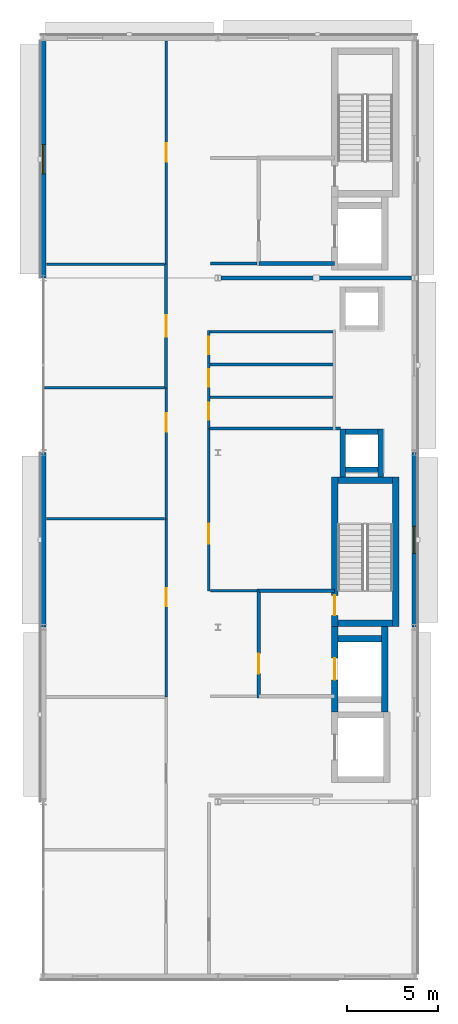
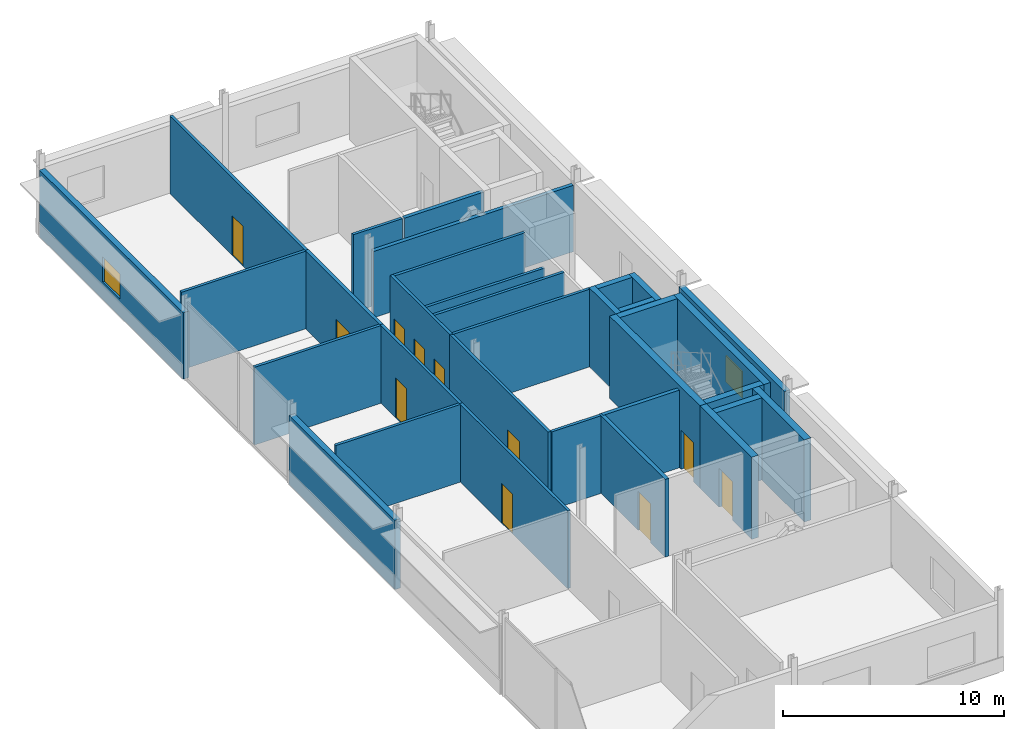
# One storey, part 7 of 10: 33 walls, 11 doors, 2 windows, 13 openings.
"""IFC4 building model written with IfcOpenShell, lengths in metres."""

from ifc_helpers import new_model, si_unit, direction, frame, frame_2d, origin, place, context, subcontext, project, spatial, rectangle, extrude, material, layer, layer_set, type_object, element, fill, save


model = new_model("IFC4")

# Units and contexts
model_context = context("Model", 3, precision=1e-05, world=origin(), true_north=direction((0.0, 1.0)))
body_context = subcontext(model_context, "Body", "Model", "MODEL_VIEW")
ifc_project = project(units=[si_unit("LENGTHUNIT", "METRE"), si_unit("AREAUNIT", "SQUARE_METRE"), si_unit("VOLUMEUNIT", "CUBIC_METRE"), si_unit("PLANEANGLEUNIT", "RADIAN"), si_unit("MASSUNIT", "GRAM", prefix="KILO")], contexts=[model_context])

# Site, building, storey
site_placement = place(None, origin())
site = spatial("IfcSite", under=ifc_project, at=site_placement, CompositionType="ELEMENT")
building_placement = place(site_placement, origin())
building = spatial("IfcBuilding", under=site, at=building_placement, Name="Almandine Court Research Institute", CompositionType="ELEMENT")
storey_placement = place(building_placement, frame((0.0, 0.0, 41.64990234375)))
storey = spatial("IfcBuildingStorey", under=building, at=storey_placement, Name="L09", CompositionType="ELEMENT", Elevation=41.64990234375)

# Wall
ifc_material_1 = material(Name="Insulated Ochre Terracotta Rainscreen Wall", Category="masonry")
ifc_layer_1 = layer(ifc_material_1, 0.2900390625)
ifc_layer_set_1 = layer_set([ifc_layer_1], Name="Insulated Ochre Terracotta Rainscreen Wall")
wall_type_1 = type_object("IfcWallType", Name="Wall-EXT-TERR-290", PredefinedType="SOLIDWALL", material=ifc_layer_set_1)
wall_1_placement = place(storey_placement, frame((153.60009765625, 25.2041015625, 0.0), z_axis=(0.0, 0.0, 1.0), x_axis=(0.0, 1.0, 0.0)))
element("IfcWall", 1, at=wall_1_placement, inside=storey, type_object=wall_type_1, Name="L09 Wet Lab West Facade Wall 3", PredefinedType="SOLIDWALL", context=body_context, shape_type="SweptSolid", body=[
    extrude(rectangle(XDim=9.591796875, YDim=0.2900390625, at=frame_2d((4.7958984375, 0.0))), origin(), (0.0, 0.0, 1.0), 3.8310546875),
])

# Wall, opening, window
wall_2_placement = place(storey_placement, frame((153.60009765625, 44.404052734375, 0.0), z_axis=(0.0, 0.0, 1.0), x_axis=(0.0, 1.0, 0.0)))
wall_2 = element("IfcWall", 2, at=wall_2_placement, inside=storey, type_object=wall_type_1, Name="L09 Wet Lab West Facade Wall 5", PredefinedType="SOLIDWALL", context=body_context, shape_type="SweptSolid", body=[
    extrude(rectangle(XDim=13.046875, YDim=0.2900390625, at=frame_2d((6.5234375, 0.0))), origin(), (0.0, 0.0, 1.0), 3.68017578125),
])
opening_1_placement = place(wall_2_placement, frame((5.722900390625, 0.0, 0.949951171875)))
opening_1 = element("IfcOpeningElement", 3, at=opening_1_placement, cuts=wall_2, Name="Opening WN-06", PredefinedType="OPENING", context=body_context, shape_type="SweptSolid", body=[
    extrude(rectangle(XDim=1.60009765625, YDim=1.39990234375, at=frame_2d((0.800048828125, 0.699951171875))), frame((0.0, 0.155029296875, 0.0), z_axis=(0.0, -1.0, 0.0), x_axis=(1.0, 0.0, 0.0)), (0.0, 0.0, 1.0), 0.31005859375),
])
ifc_material_2 = material(Name="Thermally Broken Low-E Double-Glazed Window", Category="glass")
window_type_1 = type_object("IfcWindowType", Name="Win-WN-06-1600x1400", PartitioningType="SINGLE_PANEL", PredefinedType="WINDOW", material=ifc_material_2)
window_1_placement = place(opening_1_placement, origin())
window_1 = element("IfcWindow", 4, at=window_1_placement, inside=storey, type_object=window_type_1, Name="L09 Modular Recessed Low-E Window 194", OverallHeight=1.39990234375, OverallWidth=1.60009765625, PartitioningType="SINGLE_PANEL", PredefinedType="WINDOW", context=body_context, shape_type="SweptSolid", body=[
    extrude(rectangle(XDim=1.60009765625, YDim=1.39990234375, at=frame_2d((0.800048828125, 0.699951171875))), frame((0.0, 0.030029296875, 0.0), z_axis=(0.0, -1.0, 0.0), x_axis=(1.0, 0.0, 0.0)), (0.0, 0.0, 1.0), 0.06005859375),
])
fill(opening_1, window_1)

wall_3_placement = place(storey_placement, frame((174.0, 34.7958984375, 0.0), z_axis=(0.0, 0.0, 1.0), x_axis=(0.0, -1.0, 0.0)))
wall_3 = element("IfcWall", 5, at=wall_3_placement, inside=storey, type_object=wall_type_1, Name="L09 Wet Lab East Facade Wall 3", PredefinedType="SOLIDWALL", context=body_context, shape_type="SweptSolid", body=[
    extrude(rectangle(XDim=9.591796875, YDim=0.2900390625, at=frame_2d((4.7958984375, 0.0))), origin(), (0.0, 0.0, 1.0), 3.822021484375),
])
opening_2_placement = place(wall_3_placement, frame((4.051025390625, 0.0, 0.949951171875)))
opening_2 = element("IfcOpeningElement", 6, at=opening_2_placement, cuts=wall_3, Name="Opening WN-73", PredefinedType="OPENING", context=body_context, shape_type="SweptSolid", body=[
    extrude(rectangle(XDim=1.489990234375, YDim=1.47998046875, at=frame_2d((0.7451171875, 0.739990234375))), frame((0.0, 0.155029296875, 0.0), z_axis=(0.0, -1.0, 0.0), x_axis=(1.0, 0.0, 0.0)), (0.0, 0.0, 1.0), 0.31005859375),
])
window_type_2 = type_object("IfcWindowType", Name="Win-WN-73-1490x1480", PartitioningType="SINGLE_PANEL", PredefinedType="WINDOW", material=ifc_material_2)
window_2_placement = place(opening_2_placement, origin())
window_2 = element("IfcWindow", 7, at=window_2_placement, inside=storey, type_object=window_type_2, Name="L09 Modular Recessed Low-E Window 199", OverallHeight=1.47998046875, OverallWidth=1.489990234375, PartitioningType="SINGLE_PANEL", PredefinedType="WINDOW", context=body_context, shape_type="SweptSolid", body=[
    extrude(rectangle(XDim=1.489990234375, YDim=1.47998046875, at=frame_2d((0.7451171875, 0.739990234375))), frame((0.0, 0.030029296875, 0.0), z_axis=(0.0, -1.0, 0.0), x_axis=(1.0, 0.0, 0.0)), (0.0, 0.0, 1.0), 0.06005859375),
])
fill(opening_2, window_2)

# Wall, opening, door
ifc_material_3 = material(Name="One-Hour Fire-Rated Laboratory Partition")
ifc_layer_2 = layer(ifc_material_3, 0.175048828125)
ifc_layer_set_2 = layer_set([ifc_layer_2], Name="One-Hour Fire-Rated Laboratory Partition")
wall_type_2 = type_object("IfcWallType", Name="Wall-FIRE-175", PredefinedType="PARTITIONING", material=ifc_layer_set_2)
wall_4_placement = place(storey_placement, frame((160.35009765625, 38.360107421875, 0.0), z_axis=(0.0, 0.0, 1.0), x_axis=(0.0, 1.0, 0.0)))
wall_4 = element("IfcWall", 8, at=wall_4_placement, inside=storey, type_object=wall_type_2, Name="L09 Interior Partition W-V4-L09-WW-4", PredefinedType="PARTITIONING", context=body_context, shape_type="SweptSolid", body=[
    extrude(rectangle(XDim=6.7998046875, YDim=0.175048828125, at=frame_2d((3.39990234375, 0.0))), origin(), (0.0, 0.0, 1.0), 4.300048828125),
])
opening_3_placement = place(wall_4_placement, frame((2.800048828125, 0.0, 0.0)))
opening_3 = element("IfcOpeningElement", 9, at=opening_3_placement, cuts=wall_4, Name="Opening FD-LAB", PredefinedType="OPENING", context=body_context, shape_type="SweptSolid", body=[
    extrude(rectangle(XDim=1.199951171875, YDim=2.199951171875, at=frame_2d((0.60009765625, 1.10009765625))), frame((0.0, 0.097412109375, 0.0), z_axis=(0.0, -1.0, 0.0), x_axis=(1.0, 0.0, 0.0)), (0.0, 0.0, 1.0), 0.195068359375),
])
ifc_material_4 = material(Name="Fire-Rated Laboratory Containment Door")
door_type_1 = type_object("IfcDoorType", Name="Door-FD-LAB-1200", OperationType="NOTDEFINED", PredefinedType="DOOR", material=ifc_material_4)
door_1_placement = place(opening_3_placement, origin())
door_1 = element("IfcDoor", 10, at=door_1_placement, inside=storey, type_object=door_type_1, Name="L09 Wet Chemistry Laboratory Door", OperationType="SINGLE_SWING_RIGHT", OverallHeight=2.199951171875, OverallWidth=1.199951171875, PredefinedType="DOOR", context=body_context, shape_type="SweptSolid", body=[
    extrude(rectangle(XDim=1.199951171875, YDim=2.199951171875, at=frame_2d((0.60009765625, 1.10009765625))), frame((0.0, 0.02490234375, 0.0), z_axis=(0.0, -1.0, 0.0), x_axis=(1.0, 0.0, 0.0)), (0.0, 0.0, 1.0), 0.050048828125),
])
fill(opening_3, door_1)

# Wall
ifc_material_5 = material(Name="Two-Hour Fire-Barrier Enclosure Wall")
ifc_layer_3 = layer(ifc_material_5, 0.199951171875)
ifc_layer_set_3 = layer_set([ifc_layer_3], Name="Two-Hour Fire-Barrier Enclosure Wall")
wall_type_3 = type_object("IfcWallType", Name="Wall-FIRE-200", PredefinedType="SOLIDWALL", material=ifc_layer_set_3)
wall_5_placement = place(storey_placement, frame((163.360107421875, 44.39990234375, 0.0), z_axis=(0.0, 0.0, 1.0), x_axis=(1.0, 0.0, 0.0)))
element("IfcWall", 11, at=wall_5_placement, inside=storey, type_object=wall_type_3, Name="L09 Interior Partition W-BF-V4-BF2-L09", PredefinedType="SOLIDWALL", context=body_context, shape_type="SweptSolid", body=[
    extrude(rectangle(XDim=10.47998046875, YDim=0.199951171875, at=frame_2d((5.239990234375, 0.0))), origin(), (0.0, 0.0, 1.0), 3.675048828125),
])

# Wall, opening, door
wall_6_placement = place(storey_placement, frame((165.449951171875, 21.300048828125, 0.0), z_axis=(0.0, 0.0, 1.0), x_axis=(0.0, 1.0, 0.0)))
wall_6 = element("IfcWall", 12, at=wall_6_placement, inside=storey, type_object=wall_type_3, Name="L09 Interior Partition W-FFL1-L09-W", PredefinedType="SOLIDWALL", context=body_context, shape_type="SweptSolid", body=[
    extrude(rectangle(XDim=6.0, YDim=0.199951171875, at=frame_2d((3.0, 0.0))), origin(), (0.0, 0.0, 1.0), 4.300048828125),
])
opening_4_placement = place(wall_6_placement, frame((1.35009765625, 0.0, 0.0)))
opening_4 = element("IfcOpeningElement", 13, at=opening_4_placement, cuts=wall_6, Name="Opening FD-FFL", PredefinedType="OPENING", context=body_context, shape_type="SweptSolid", body=[
    extrude(rectangle(XDim=1.10009765625, YDim=2.14990234375, at=frame_2d((0.550048828125, 1.074951171875))), frame((0.0, 0.10986328125, 0.0), z_axis=(0.0, -1.0, 0.0), x_axis=(1.0, 0.0, 0.0)), (0.0, 0.0, 1.0), 0.219970703125),
])
ifc_material_6 = material(Name="Smoke-Tight Firefighting Lobby Fire Door")
door_type_2 = type_object("IfcDoorType", Name="Door-FD-FFL-1100", OperationType="NOTDEFINED", PredefinedType="DOOR", material=ifc_material_6)
door_2_placement = place(opening_4_placement, origin())
door_2 = element("IfcDoor", 14, at=door_2_placement, inside=storey, type_object=door_type_2, Name="L09 Firefighting Lobby Fire Door 1", OperationType="SINGLE_SWING_LEFT", OverallHeight=2.14990234375, OverallWidth=1.10009765625, PredefinedType="DOOR", context=body_context, shape_type="SweptSolid", body=[
    extrude(rectangle(XDim=1.10009765625, YDim=2.14990234375, at=frame_2d((0.550048828125, 1.074951171875))), frame((0.0, 0.02490234375, 0.0), z_axis=(0.0, -1.0, 0.0), x_axis=(1.0, 0.0, 0.0)), (0.0, 0.0, 1.0), 0.050048828125),
])
fill(opening_4, door_2)

# Walls
for number, where, z_axis, x_axis, name in (
    (15, (165.449951171875, 27.199951171875, 0.0), (0.0, 0.0, 1.0), (1.0, 0.0, 0.0), "L09 Interior Partition W-FFL1-L09-N"),
    (16, (165.449951171875, 45.199951171875, 0.0), (0.0, 0.0, 1.0), (1.0, 0.0, 0.0), "L09 Interior Partition W-FFL2-L09-S"),
):
    element("IfcWall", number, at=place(storey_placement, frame(where, z_axis=z_axis, x_axis=x_axis)), inside=storey, type_object=wall_type_3, Name=name, PredefinedType="SOLIDWALL", context=body_context, shape_type="SweptSolid", body=[
        extrude(rectangle(XDim=4.150146484375, YDim=0.199951171875, at=frame_2d((2.0751953125, 0.0))), origin(), (0.0, 0.0, 1.0), 4.300048828125),
    ])
ifc_material_7 = material(Name="Acoustic Steel-Stud Gypsum Partition Wall", Category="steel")
ifc_layer_4 = layer(ifc_material_7, 0.14990234375)
ifc_layer_set_4 = layer_set([ifc_layer_4], Name="Acoustic Steel-Stud Gypsum Partition Wall")
wall_type_4 = type_object("IfcWallType", Name="Wall-PART-150", PredefinedType="PARTITIONING", material=ifc_layer_set_4)
wall_7_placement = place(storey_placement, frame((162.699951171875, 37.85009765625, 0.0), z_axis=(0.0, 0.0, 1.0), x_axis=(1.0, 0.0, 0.0)))
element("IfcWall", 17, at=wall_7_placement, inside=storey, type_object=wall_type_4, Name="L09 Interior Partition W-V4-L09-WCH-1", PredefinedType="PARTITIONING", context=body_context, shape_type="SweptSolid", body=[
    extrude(rectangle(XDim=6.900146484375, YDim=0.14990234375, at=frame_2d((3.4501953125, 0.0))), origin(), (0.0, 0.0, 1.0), 4.300048828125),
])
wall_8_placement = place(storey_placement, frame((162.699951171875, 39.64990234375, 0.0), z_axis=(0.0, 0.0, 1.0), x_axis=(1.0, 0.0, 0.0)))
element("IfcWall", 18, at=wall_8_placement, inside=storey, type_object=wall_type_4, Name="L09 Interior Partition W-V4-L09-WCH-2", PredefinedType="PARTITIONING", context=body_context, shape_type="SweptSolid", body=[
    extrude(rectangle(XDim=6.900146484375, YDim=0.14990234375, at=frame_2d((3.4501953125, 0.0))), origin(), (0.0, 0.0, 1.0), 3.441162109375),
])
wall_9_placement = place(storey_placement, frame((162.699951171875, 41.449951171875, 0.0), z_axis=(0.0, 0.0, 1.0), x_axis=(1.0, 0.0, 0.0)))
element("IfcWall", 19, at=wall_9_placement, inside=storey, type_object=wall_type_4, Name="L09 Interior Partition W-V4-L09-WCH-3", PredefinedType="PARTITIONING", context=body_context, shape_type="SweptSolid", body=[
    extrude(rectangle(XDim=6.900146484375, YDim=0.14990234375, at=frame_2d((3.4501953125, 0.0))), origin(), (0.0, 0.0, 1.0), 4.300048828125),
])
wall_10_placement = place(storey_placement, frame((162.699951171875, 36.1201171875, 0.0), z_axis=(0.0, 0.0, 1.0), x_axis=(1.0, 0.0, 0.0)))
element("IfcWall", 20, at=wall_10_placement, inside=storey, type_object=wall_type_4, Name="L09 Interior Partition W-V4-L09-WCS", PredefinedType="PARTITIONING", context=body_context, shape_type="SweptSolid", body=[
    extrude(rectangle(XDim=7.25, YDim=0.14990234375, at=frame_2d((3.625, 0.0))), origin(), (0.0, 0.0, 1.0), 4.300048828125),
])

# Wall, openings, doors
wall_11_placement = place(storey_placement, frame((162.699951171875, 36.1201171875, 0.0), z_axis=(0.0, 0.0, 1.0), x_axis=(0.0, 1.0, 0.0)))
wall_11 = element("IfcWall", 21, at=wall_11_placement, inside=storey, type_object=wall_type_4, Name="L09 Interior Partition W-V4-L09-WC-ALL", PredefinedType="PARTITIONING", context=body_context, shape_type="SweptSolid", body=[
    extrude(rectangle(XDim=5.39990234375, YDim=0.14990234375, at=frame_2d((2.699951171875, 0.0))), origin(), (0.0, 0.0, 1.0), 4.300048828125),
])
opening_5_placement = place(wall_11_placement, frame((0.47998046875, 0.0, 0.0)))
opening_5 = element("IfcOpeningElement", 22, at=opening_5_placement, cuts=wall_11, Name="Opening D-01", PredefinedType="OPENING", context=body_context, shape_type="SweptSolid", body=[
    extrude(rectangle(XDim=0.949951171875, YDim=2.10009765625, at=frame_2d((0.47509765625, 1.050048828125))), frame((0.0, 0.0849609375, 0.0), z_axis=(0.0, -1.0, 0.0), x_axis=(1.0, 0.0, 0.0)), (0.0, 0.0, 1.0), 0.169921875),
])
opening_6_placement = place(wall_11_placement, frame((2.300048828125, 0.0, 0.0)))
opening_6 = element("IfcOpeningElement", 23, at=opening_6_placement, cuts=wall_11, Name="Opening D-01", PredefinedType="OPENING", context=body_context, shape_type="SweptSolid", body=[
    extrude(rectangle(XDim=0.949951171875, YDim=2.10009765625, at=frame_2d((0.47509765625, 1.050048828125))), frame((0.0, 0.0849609375, 0.0), z_axis=(0.0, -1.0, 0.0), x_axis=(1.0, 0.0, 0.0)), (0.0, 0.0, 1.0), 0.169921875),
])
opening_7_placement = place(wall_11_placement, frame((4.10009765625, 0.0, 0.0)))
opening_7 = element("IfcOpeningElement", 24, at=opening_7_placement, cuts=wall_11, Name="Opening D-01", PredefinedType="OPENING", context=body_context, shape_type="SweptSolid", body=[
    extrude(rectangle(XDim=0.949951171875, YDim=2.10009765625, at=frame_2d((0.47509765625, 1.050048828125))), frame((0.0, 0.0849609375, 0.0), z_axis=(0.0, -1.0, 0.0), x_axis=(1.0, 0.0, 0.0)), (0.0, 0.0, 1.0), 0.169921875),
])
ifc_material_8 = material(Name="Solid-Core Timber Acoustic Room Door", Category="wood")
door_type_3 = type_object("IfcDoorType", Name="Door-INT-950", OperationType="NOTDEFINED", PredefinedType="DOOR", material=ifc_material_8)
door_3_placement = place(opening_5_placement, origin())
door_3 = element("IfcDoor", 25, at=door_3_placement, inside=storey, type_object=door_type_3, Name="L09 V4 Male Toilet Door", OperationType="SINGLE_SWING_LEFT", OverallHeight=2.10009765625, OverallWidth=0.949951171875, PredefinedType="DOOR", context=body_context, shape_type="SweptSolid", body=[
    extrude(rectangle(XDim=0.949951171875, YDim=2.10009765625, at=frame_2d((0.47509765625, 1.050048828125))), frame((0.0, 0.02490234375, 0.0), z_axis=(0.0, -1.0, 0.0), x_axis=(1.0, 0.0, 0.0)), (0.0, 0.0, 1.0), 0.050048828125),
])
fill(opening_5, door_3)
door_4_placement = place(opening_6_placement, origin())
door_4 = element("IfcDoor", 26, at=door_4_placement, inside=storey, type_object=door_type_3, Name="L09 V4 Female Toilet Door", OperationType="SINGLE_SWING_RIGHT", OverallHeight=2.10009765625, OverallWidth=0.949951171875, PredefinedType="DOOR", context=body_context, shape_type="SweptSolid", body=[
    extrude(rectangle(XDim=0.949951171875, YDim=2.10009765625, at=frame_2d((0.47509765625, 1.050048828125))), frame((0.0, 0.02490234375, 0.0), z_axis=(0.0, -1.0, 0.0), x_axis=(1.0, 0.0, 0.0)), (0.0, 0.0, 1.0), 0.050048828125),
])
fill(opening_6, door_4)
door_5_placement = place(opening_7_placement, origin())
door_5 = element("IfcDoor", 27, at=door_5_placement, inside=storey, type_object=door_type_3, Name="L09 V4 Accessible WC Door", OperationType="SINGLE_SWING_LEFT", OverallHeight=2.10009765625, OverallWidth=0.949951171875, PredefinedType="DOOR", context=body_context, shape_type="SweptSolid", body=[
    extrude(rectangle(XDim=0.949951171875, YDim=2.10009765625, at=frame_2d((0.47509765625, 1.050048828125))), frame((0.0, 0.02490234375, 0.0), z_axis=(0.0, -1.0, 0.0), x_axis=(1.0, 0.0, 0.0)), (0.0, 0.0, 1.0), 0.050048828125),
])
fill(opening_7, door_5)

# Wall, opening, door
wall_12_placement = place(storey_placement, frame((160.35009765625, 21.360107421875, 0.0), z_axis=(0.0, 0.0, 1.0), x_axis=(0.0, 1.0, 0.0)))
wall_12 = element("IfcWall", 28, at=wall_12_placement, inside=storey, type_object=wall_type_4, Name="L09 Interior Partition W-V4-L09-WW-2", PredefinedType="PARTITIONING", context=body_context, shape_type="SweptSolid", body=[
    extrude(rectangle(XDim=9.7998046875, YDim=0.14990234375, at=frame_2d((4.89990234375, 0.0))), origin(), (0.0, 0.0, 1.0), 4.300048828125),
])
opening_8_placement = place(wall_12_placement, frame((4.989990234375, 0.0, 0.0)))
opening_8 = element("IfcOpeningElement", 29, at=opening_8_placement, cuts=wall_12, Name="Opening D-02", PredefinedType="OPENING", context=body_context, shape_type="SweptSolid", body=[
    extrude(rectangle(XDim=1.0, YDim=2.199951171875, at=frame_2d((0.5, 1.10009765625))), frame((0.0, 0.0849609375, 0.0), z_axis=(0.0, -1.0, 0.0), x_axis=(1.0, 0.0, 0.0)), (0.0, 0.0, 1.0), 0.169921875),
])
ifc_material_9 = material(Name="Solid-Core Timber Researcher Office Door", Category="wood")
door_type_4 = type_object("IfcDoorType", Name="Door-INT-1000", OperationType="NOTDEFINED", PredefinedType="DOOR", material=ifc_material_9)
door_6_placement = place(opening_8_placement, origin())
door_6 = element("IfcDoor", 30, at=door_6_placement, inside=storey, type_object=door_type_4, Name="L09 Instrument Room Door", OperationType="SINGLE_SWING_RIGHT", OverallHeight=2.199951171875, OverallWidth=1.0, PredefinedType="DOOR", context=body_context, shape_type="SweptSolid", body=[
    extrude(rectangle(XDim=1.0, YDim=2.199951171875, at=frame_2d((0.5, 1.10009765625))), frame((0.0, 0.02490234375, 0.0), z_axis=(0.0, -1.0, 0.0), x_axis=(1.0, 0.0, 0.0)), (0.0, 0.0, 1.0), 0.050048828125),
])
fill(opening_8, door_6)

# Wall
wall_13_placement = place(storey_placement, frame((153.760009765625, 31.159912109375, 0.0), z_axis=(0.0, 0.0, 1.0), x_axis=(1.0, 0.0, 0.0)))
element("IfcWall", 31, at=wall_13_placement, inside=storey, type_object=wall_type_4, Name="L09 Interior Partition W-V4-L09-WDIV-2", PredefinedType="PARTITIONING", context=body_context, shape_type="SweptSolid", body=[
    extrude(rectangle(XDim=6.510009765625, YDim=0.14990234375, at=frame_2d((3.2548828125, 0.0))), origin(), (0.0, 0.0, 1.0), 4.300048828125),
])

# Wall, opening, door
wall_14_placement = place(storey_placement, frame((160.35009765625, 31.159912109375, 0.0), z_axis=(0.0, 0.0, 1.0), x_axis=(0.0, 1.0, 0.0)))
wall_14 = element("IfcWall", 32, at=wall_14_placement, inside=storey, type_object=wall_type_4, Name="L09 Interior Partition W-V4-L09-WW-3", PredefinedType="PARTITIONING", context=body_context, shape_type="SweptSolid", body=[
    extrude(rectangle(XDim=7.2001953125, YDim=0.14990234375, at=frame_2d((3.60009765625, 0.0))), origin(), (0.0, 0.0, 1.0), 4.300048828125),
])
opening_9_placement = place(wall_14_placement, frame((4.7900390625, 0.0, 0.0)))
opening_9 = element("IfcOpeningElement", 33, at=opening_9_placement, cuts=wall_14, Name="Opening D-02", PredefinedType="OPENING", context=body_context, shape_type="SweptSolid", body=[
    extrude(rectangle(XDim=1.0, YDim=2.199951171875, at=frame_2d((0.5, 1.10009765625))), frame((0.0, 0.0849609375, 0.0), z_axis=(0.0, -1.0, 0.0), x_axis=(1.0, 0.0, 0.0)), (0.0, 0.0, 1.0), 0.169921875),
])
door_7_placement = place(opening_9_placement, origin())
door_7 = element("IfcDoor", 34, at=door_7_placement, inside=storey, type_object=door_type_4, Name="L09 Write-up Office Door", OperationType="SINGLE_SWING_LEFT", OverallHeight=2.199951171875, OverallWidth=1.0, PredefinedType="DOOR", context=body_context, shape_type="SweptSolid", body=[
    extrude(rectangle(XDim=1.0, YDim=2.199951171875, at=frame_2d((0.5, 1.10009765625))), frame((0.0, 0.02490234375, 0.0), z_axis=(0.0, -1.0, 0.0), x_axis=(1.0, 0.0, 0.0)), (0.0, 0.0, 1.0), 0.050048828125),
])
fill(opening_9, door_7)

# Walls
wall_15_placement = place(storey_placement, frame((153.659912109375, 38.360107421875, 0.0), z_axis=(0.0, 0.0, 1.0), x_axis=(1.0, 0.0, 0.0)))
element("IfcWall", 35, at=wall_15_placement, inside=storey, type_object=wall_type_4, Name="L09 Interior Partition W-V4-L09-WDIV-3", PredefinedType="PARTITIONING", context=body_context, shape_type="SweptSolid", body=[
    extrude(rectangle(XDim=6.610107421875, YDim=0.14990234375, at=frame_2d((3.30517578125, 0.0))), origin(), (0.0, 0.0, 1.0), 4.300048828125),
])
wall_16_placement = place(storey_placement, frame((153.760009765625, 45.159912109375, 0.0), z_axis=(0.0, 0.0, 1.0), x_axis=(1.0, 0.0, 0.0)))
element("IfcWall", 36, at=wall_16_placement, inside=storey, type_object=wall_type_4, Name="L09 Interior Partition W-V4-L09-WDIV-4", PredefinedType="PARTITIONING", context=body_context, shape_type="SweptSolid", body=[
    extrude(rectangle(XDim=6.510009765625, YDim=0.14990234375, at=frame_2d((3.2548828125, 0.0))), origin(), (0.0, 0.0, 1.0), 4.300048828125),
])

# Wall, opening, door
wall_17_placement = place(storey_placement, frame((160.35009765625, 45.159912109375, 0.0), z_axis=(0.0, 0.0, 1.0), x_axis=(0.0, 1.0, 0.0)))
wall_17 = element("IfcWall", 37, at=wall_17_placement, inside=storey, type_object=wall_type_4, Name="L09 Interior Partition W-V4-L09-WW-5", PredefinedType="PARTITIONING", context=body_context, shape_type="SweptSolid", body=[
    extrude(rectangle(XDim=12.280029296875, YDim=0.14990234375, at=frame_2d((6.14013671875, 0.0))), origin(), (0.0, 0.0, 1.0), 4.300048828125),
])
opening_10_placement = place(wall_17_placement, frame((5.639892578125, 0.0, 0.0)))
opening_10 = element("IfcOpeningElement", 38, at=opening_10_placement, cuts=wall_17, Name="Opening D-02", PredefinedType="OPENING", context=body_context, shape_type="SweptSolid", body=[
    extrude(rectangle(XDim=1.0, YDim=2.199951171875, at=frame_2d((0.5, 1.10009765625))), frame((0.0, 0.0849609375, 0.0), z_axis=(0.0, -1.0, 0.0), x_axis=(1.0, 0.0, 0.0)), (0.0, 0.0, 1.0), 0.169921875),
])
door_8_placement = place(opening_10_placement, origin())
door_8 = element("IfcDoor", 39, at=door_8_placement, inside=storey, type_object=door_type_4, Name="L09 Faculty Study Door", OperationType="SINGLE_SWING_LEFT", OverallHeight=2.199951171875, OverallWidth=1.0, PredefinedType="DOOR", context=body_context, shape_type="SweptSolid", body=[
    extrude(rectangle(XDim=1.0, YDim=2.199951171875, at=frame_2d((0.5, 1.10009765625))), frame((0.0, 0.02490234375, 0.0), z_axis=(0.0, -1.0, 0.0), x_axis=(1.0, 0.0, 0.0)), (0.0, 0.0, 1.0), 0.050048828125),
])
fill(opening_10, door_8)

# Wall
wall_18_placement = place(storey_placement, frame((162.780029296875, 27.199951171875, 0.0), z_axis=(0.0, 0.0, 1.0), x_axis=(1.0, 0.0, 0.0)))
element("IfcWall", 40, at=wall_18_placement, inside=storey, type_object=wall_type_4, Name="L09 Interior Partition W-V4-L09-SPEC-S", PredefinedType="PARTITIONING", context=body_context, shape_type="SweptSolid", body=[
    extrude(rectangle(XDim=2.570068359375, YDim=0.14990234375, at=frame_2d((1.28515625, 0.0))), origin(), (0.0, 0.0, 1.0), 4.300048828125),
])

# Wall, opening, door
wall_19_placement = place(storey_placement, frame((162.699951171875, 27.199951171875, 0.0), z_axis=(0.0, 0.0, 1.0), x_axis=(0.0, 1.0, 0.0)))
wall_19 = element("IfcWall", 41, at=wall_19_placement, inside=storey, type_object=wall_type_4, Name="L09 Interior Partition W-V4-L09-EW-M", PredefinedType="PARTITIONING", context=body_context, shape_type="SweptSolid", body=[
    extrude(rectangle(XDim=8.920166015625, YDim=0.14990234375, at=frame_2d((4.4599609375, 0.0))), origin(), (0.0, 0.0, 1.0), 4.300048828125),
])
opening_11_placement = place(wall_19_placement, frame((2.60009765625, 0.0, 0.0)))
opening_11 = element("IfcOpeningElement", 42, at=opening_11_placement, cuts=wall_19, Name="Opening D-03", PredefinedType="OPENING", context=body_context, shape_type="SweptSolid", body=[
    extrude(rectangle(XDim=1.10009765625, YDim=2.199951171875, at=frame_2d((0.550048828125, 1.10009765625))), frame((0.0, 0.0849609375, 0.0), z_axis=(0.0, -1.0, 0.0), x_axis=(1.0, 0.0, 0.0)), (0.0, 0.0, 1.0), 0.169921875),
])
ifc_material_10 = material(Name="Acoustic Vision-Panel Seminar Door")
door_type_5 = type_object("IfcDoorType", Name="Door-INT-1100", OperationType="NOTDEFINED", PredefinedType="DOOR", material=ifc_material_10)
door_9_placement = place(opening_11_placement, origin())
door_9 = element("IfcDoor", 43, at=door_9_placement, inside=storey, type_object=door_type_5, Name="L09 Spectroscopy Suite Door", OperationType="SINGLE_SWING_RIGHT", OverallHeight=2.199951171875, OverallWidth=1.10009765625, PredefinedType="DOOR", context=body_context, shape_type="SweptSolid", body=[
    extrude(rectangle(XDim=1.10009765625, YDim=2.199951171875, at=frame_2d((0.550048828125, 1.10009765625))), frame((0.0, 0.02490234375, 0.0), z_axis=(0.0, -1.0, 0.0), x_axis=(1.0, 0.0, 0.0)), (0.0, 0.0, 1.0), 0.050048828125),
])
fill(opening_11, door_9)

# Walls
wall_20_placement = place(storey_placement, frame((162.780029296875, 45.199951171875, 0.0), z_axis=(0.0, 0.0, 1.0), x_axis=(1.0, 0.0, 0.0)))
element("IfcWall", 44, at=wall_20_placement, inside=storey, type_object=wall_type_4, Name="L09 Interior Partition W-V4-L09-FFL2-CS", PredefinedType="PARTITIONING", context=body_context, shape_type="SweptSolid", body=[
    extrude(rectangle(XDim=2.570068359375, YDim=0.14990234375, at=frame_2d((1.28515625, 0.0))), origin(), (0.0, 0.0, 1.0), 4.300048828125),
])
ifc_material_11 = material(Name="Concrete C40/50", Category="concrete")
ifc_layer_5 = layer(ifc_material_11, 0.300048828125)
ifc_layer_set_5 = layer_set([ifc_layer_5], Name="Concrete C40/50")
wall_type_5 = type_object("IfcWallType", Name="Wall-SW-CORE-300", PredefinedType="SHEAR", material=ifc_layer_set_5)
wall_21_placement = place(storey_placement, frame((170.050048828125, 33.449951171875, 0.0), z_axis=(0.0, 0.0, 1.0), x_axis=(0.0, 1.0, 0.0)))
element("IfcWall", 45, at=wall_21_placement, inside=storey, type_object=wall_type_5, Name="L09 MEP Riser RS-V4A W Shear Wall", PredefinedType="SHEAR", context=body_context, shape_type="SweptSolid", body=[
    extrude(rectangle(XDim=2.650146484375, YDim=0.300048828125, at=frame_2d((1.3251953125, 0.0))), origin(), (0.0, 0.0, 1.0), 4.3701171875),
])
wall_22_placement = place(storey_placement, frame((170.199951171875, 35.949951171875, 0.0), z_axis=(0.0, 0.0, 1.0), x_axis=(1.0, 0.0, 0.0)))
element("IfcWall", 46, at=wall_22_placement, inside=storey, type_object=wall_type_5, Name="L09 MEP Riser RS-V4A N Shear Wall", PredefinedType="SHEAR", context=body_context, shape_type="SweptSolid", body=[
    extrude(rectangle(XDim=1.800048828125, YDim=0.300048828125, at=frame_2d((0.89990234375, 0.0))), origin(), (0.0, 0.0, 1.0), 4.3701171875),
])
wall_23_placement = place(storey_placement, frame((172.14990234375, 36.10009765625, 0.0), z_axis=(0.0, 0.0, 1.0), x_axis=(0.0, -1.0, 0.0)))
element("IfcWall", 47, at=wall_23_placement, inside=storey, type_object=wall_type_5, Name="L09 MEP Riser RS-V4A E Shear Wall", PredefinedType="SHEAR", context=body_context, shape_type="SweptSolid", body=[
    extrude(rectangle(XDim=2.650146484375, YDim=0.300048828125, at=frame_2d((1.3251953125, 0.0))), origin(), (0.0, 0.0, 1.0), 4.3701171875),
])
wall_24_placement = place(storey_placement, frame((172.0, 33.85009765625, 0.0), z_axis=(0.0, 0.0, 1.0), x_axis=(-1.0, 0.0, 0.0)))
element("IfcWall", 48, at=wall_24_placement, inside=storey, type_object=wall_type_5, Name="L09 MEP Riser RS-V4A S Shear Wall", PredefinedType="SHEAR", context=body_context, shape_type="SweptSolid", body=[
    extrude(rectangle(XDim=1.800048828125, YDim=0.300048828125, at=frame_2d((0.89990234375, 0.0))), origin(), (0.0, 0.0, 1.0), 4.3701171875),
])

# Wall, opening, door
ifc_layer_6 = layer(ifc_material_11, 0.35009765625)
ifc_layer_set_6 = layer_set([ifc_layer_6], Name="Concrete C40/50")
wall_type_6 = type_object("IfcWallType", Name="Wall-SW-CORE-350", PredefinedType="SHEAR", material=ifc_layer_set_6)
wall_25_placement = place(storey_placement, frame((169.625, 25.25, 0.0), z_axis=(0.0, 0.0, 1.0), x_axis=(0.0, 1.0, 0.0)))
wall_25 = element("IfcWall", 49, at=wall_25_placement, inside=storey, type_object=wall_type_6, Name="L09 ST-07 W Shear Wall", PredefinedType="SHEAR", context=body_context, shape_type="SweptSolid", body=[
    extrude(rectangle(XDim=8.199951171875, YDim=0.35009765625, at=frame_2d((4.10009765625, 0.0))), origin(), (0.0, 0.0, 1.0), 4.550048828125),
])
opening_12_placement = place(wall_25_placement, frame((0.60009765625, 0.0, 0.0)))
opening_12 = element("IfcOpeningElement", 50, at=opening_12_placement, cuts=wall_25, Name="Opening FD-STAIR", PredefinedType="OPENING", context=body_context, shape_type="SweptSolid", body=[
    extrude(rectangle(XDim=1.10009765625, YDim=2.14990234375, at=frame_2d((0.550048828125, 1.074951171875))), frame((0.0, 0.18505859375, 0.0), z_axis=(0.0, -1.0, 0.0), x_axis=(1.0, 0.0, 0.0)), (0.0, 0.0, 1.0), 0.3701171875),
])
ifc_material_12 = material(Name="Self-Closing Steel Exit Stair Fire Door", Category="steel")
door_type_6 = type_object("IfcDoorType", Name="Door-FD-STAIR-1100", OperationType="NOTDEFINED", PredefinedType="DOOR", material=ifc_material_12)
door_10_placement = place(opening_12_placement, origin())
door_10 = element("IfcDoor", 51, at=door_10_placement, inside=storey, type_object=door_type_6, Name="L09 Exit Stair ST-07 Fire Door", OperationType="SINGLE_SWING_RIGHT", OverallHeight=2.14990234375, OverallWidth=1.10009765625, PredefinedType="DOOR", context=body_context, shape_type="SweptSolid", body=[
    extrude(rectangle(XDim=1.10009765625, YDim=2.14990234375, at=frame_2d((0.550048828125, 1.074951171875))), frame((0.0, 0.02490234375, 0.0), z_axis=(0.0, -1.0, 0.0), x_axis=(1.0, 0.0, 0.0)), (0.0, 0.0, 1.0), 0.050048828125),
])
fill(opening_12, door_10)

# Walls
wall_26_placement = place(storey_placement, frame((169.800048828125, 33.27490234375, 0.0), z_axis=(0.0, 0.0, 1.0), x_axis=(1.0, 0.0, 0.0)))
element("IfcWall", 52, at=wall_26_placement, inside=storey, type_object=wall_type_6, Name="L09 ST-07 N Shear Wall", PredefinedType="SHEAR", context=body_context, shape_type="SweptSolid", body=[
    extrude(rectangle(XDim=3.0, YDim=0.35009765625, at=frame_2d((1.5, 0.0))), origin(), (0.0, 0.0, 1.0), 4.550048828125),
])
wall_27_placement = place(storey_placement, frame((172.97509765625, 33.449951171875, 0.0), z_axis=(0.0, 0.0, 1.0), x_axis=(0.0, -1.0, 0.0)))
element("IfcWall", 53, at=wall_27_placement, inside=storey, type_object=wall_type_6, Name="L09 ST-07 E Shear Wall", PredefinedType="SHEAR", context=body_context, shape_type="SweptSolid", body=[
    extrude(rectangle(XDim=8.199951171875, YDim=0.35009765625, at=frame_2d((4.10009765625, 0.0))), origin(), (0.0, 0.0, 1.0), 4.550048828125),
])
wall_28_placement = place(storey_placement, frame((172.800048828125, 25.425048828125, 0.0), z_axis=(0.0, 0.0, 1.0), x_axis=(-1.0, 0.0, 0.0)))
element("IfcWall", 54, at=wall_28_placement, inside=storey, type_object=wall_type_6, Name="L09 ST-07 S Shear Wall", PredefinedType="SHEAR", context=body_context, shape_type="SweptSolid", body=[
    extrude(rectangle(XDim=3.0, YDim=0.35009765625, at=frame_2d((1.5, 0.0))), origin(), (0.0, 0.0, 1.0), 4.550048828125),
])

# Wall, opening, door
wall_29_placement = place(storey_placement, frame((169.625, 20.550048828125, 0.0), z_axis=(0.0, 0.0, 1.0), x_axis=(0.0, 1.0, 0.0)))
wall_29 = element("IfcWall", 55, at=wall_29_placement, inside=storey, type_object=wall_type_6, Name="L09 FL-01 Hoistway W Shear Wall", PredefinedType="SHEAR", context=body_context, shape_type="SweptSolid", body=[
    extrude(rectangle(XDim=4.699951171875, YDim=0.35009765625, at=frame_2d((2.35009765625, 0.0))), origin(), (0.0, 0.0, 1.0), 4.550048828125),
])
opening_13_placement = place(wall_29_placement, frame((1.75, 0.0, 0.0)))
opening_13 = element("IfcOpeningElement", 56, at=opening_13_placement, cuts=wall_29, Name="Opening LD-02", PredefinedType="OPENING", context=body_context, shape_type="SweptSolid", body=[
    extrude(rectangle(XDim=1.199951171875, YDim=2.14990234375, at=frame_2d((0.60009765625, 1.074951171875))), frame((0.0, 0.18505859375, 0.0), z_axis=(0.0, -1.0, 0.0), x_axis=(1.0, 0.0, 0.0)), (0.0, 0.0, 1.0), 0.3701171875),
])
ifc_material_13 = material(Name="Firefighting Lift Landing Sliding Door")
door_type_7 = type_object("IfcDoorType", Name="Door-LD-FSAE-1200", OperationType="SLIDING_TO_LEFT", PredefinedType="USERDEFINED", material=ifc_material_13)
door_11_placement = place(opening_13_placement, origin())
door_11 = element("IfcDoor", 57, at=door_11_placement, inside=storey, type_object=door_type_7, Name="L09 Firefighting Lift FL-01 Sliding Landing Door", ObjectType="LANDING DOOR", OperationType="SLIDING_TO_LEFT", OverallHeight=2.14990234375, OverallWidth=1.199951171875, PredefinedType="USERDEFINED", context=body_context, shape_type="SweptSolid", body=[
    extrude(rectangle(XDim=1.199951171875, YDim=2.14990234375, at=frame_2d((0.60009765625, 1.074951171875))), frame((0.0, 0.02490234375, 0.0), z_axis=(0.0, -1.0, 0.0), x_axis=(1.0, 0.0, 0.0)), (0.0, 0.0, 1.0), 0.050048828125),
])
fill(opening_13, door_11)

# Walls
wall_30_placement = place(storey_placement, frame((169.800048828125, 24.574951171875, 0.0), z_axis=(0.0, 0.0, 1.0), x_axis=(1.0, 0.0, 0.0)))
element("IfcWall", 58, at=wall_30_placement, inside=storey, type_object=wall_type_6, Name="L09 FL-01 Hoistway N Shear Wall", PredefinedType="SHEAR", context=body_context, shape_type="SweptSolid", body=[
    extrude(rectangle(XDim=2.39990234375, YDim=0.35009765625, at=frame_2d((1.199951171875, 0.0))), origin(), (0.0, 0.0, 1.0), 4.550048828125),
])
wall_31_placement = place(storey_placement, frame((172.375, 25.25, 0.0), z_axis=(0.0, 0.0, 1.0), x_axis=(0.0, -1.0, 0.0)))
element("IfcWall", 59, at=wall_31_placement, inside=storey, type_object=wall_type_6, Name="L09 FL-01 Hoistway E Shear Wall", PredefinedType="SHEAR", context=body_context, shape_type="SweptSolid", body=[
    extrude(rectangle(XDim=4.699951171875, YDim=0.35009765625, at=frame_2d((2.35009765625, 0.0))), origin(), (0.0, 0.0, 1.0), 4.550048828125),
])

save(model, "model.ifc")
